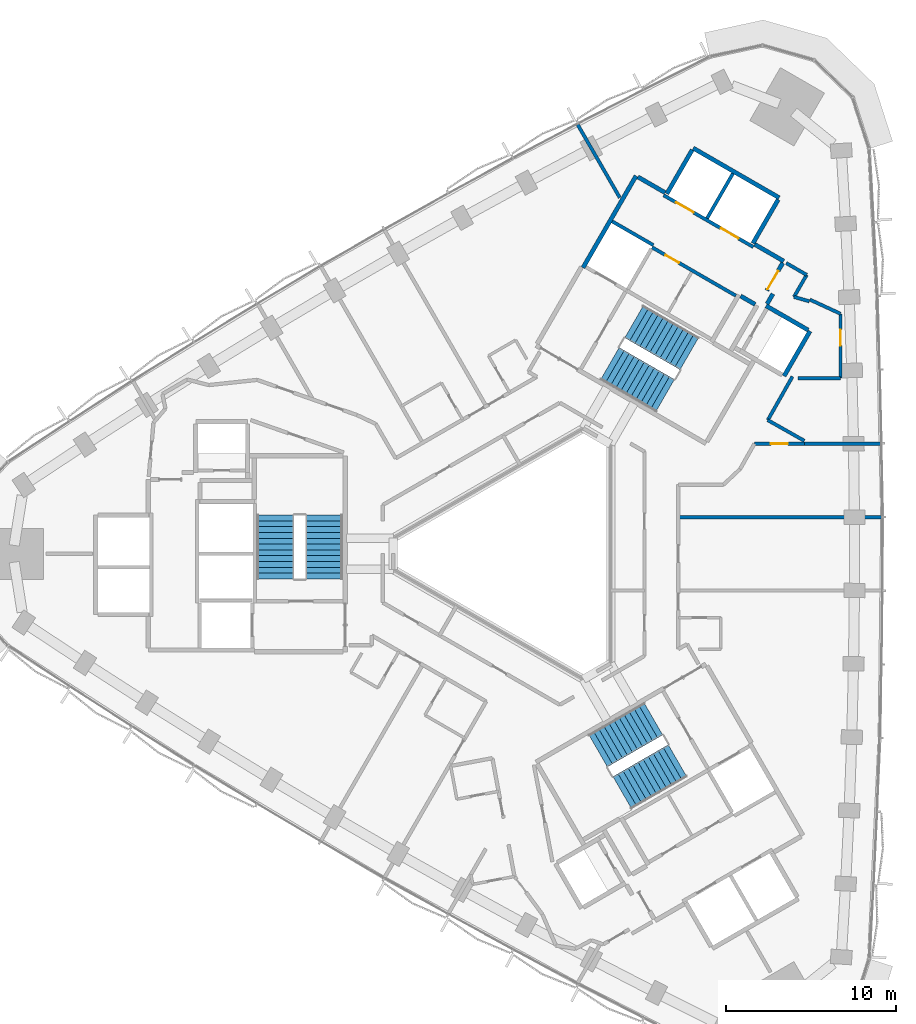
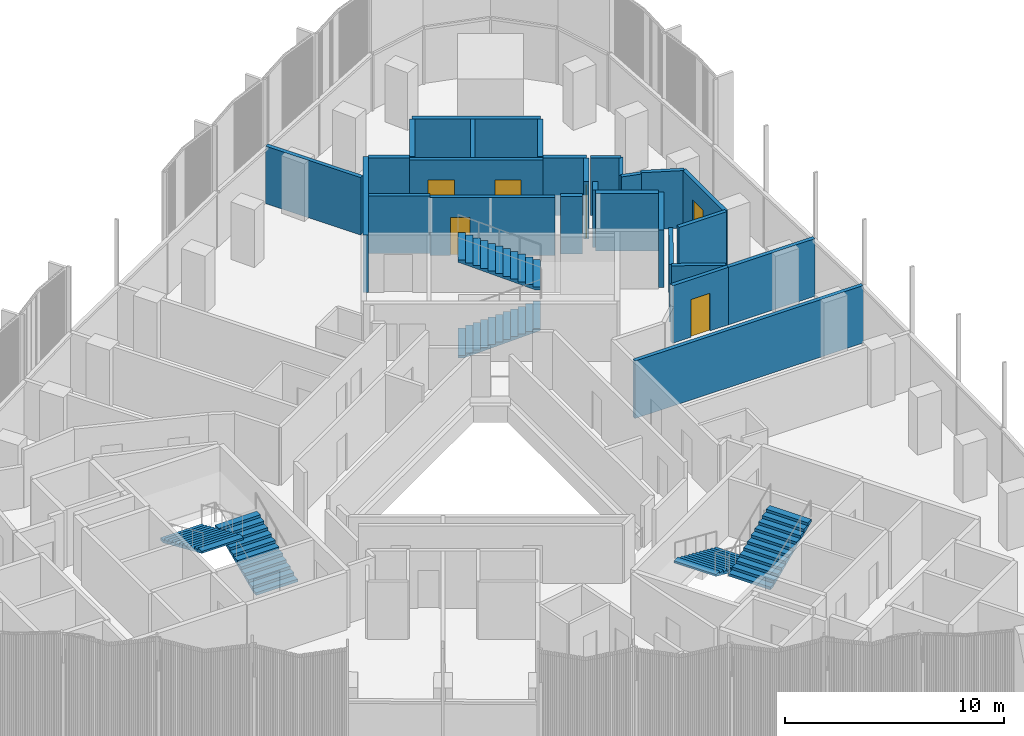
# One storey, part 12 of 15: 27 walls, 6 doors, 6 stair flights, 6 openings, 3 elements without a shape of their own.
"""IFC4 building model written with IfcOpenShell, lengths in metres."""

from ifc_helpers import new_model, si_unit, direction, frame, frame_2d, origin, place, context, subcontext, project, spatial, polyline, rectangle, outline, extrude, material, layer, layer_set, type_object, element, fill, aggregate, save


model = new_model("IFC4")

# Units and contexts
model_context = context("Model", 3, precision=1e-05, world=origin(), true_north=direction((0.0, 1.0)))
body_context = subcontext(model_context, "Body", "Model", "MODEL_VIEW")
ifc_project = project(units=[si_unit("LENGTHUNIT", "METRE"), si_unit("AREAUNIT", "SQUARE_METRE"), si_unit("VOLUMEUNIT", "CUBIC_METRE"), si_unit("PLANEANGLEUNIT", "RADIAN"), si_unit("MASSUNIT", "GRAM", prefix="KILO")], contexts=[model_context])

# Site, building, storey
site_placement = place(None, origin())
site = spatial("IfcSite", under=ifc_project, at=site_placement, CompositionType="ELEMENT")
building_placement = place(site_placement, origin())
building = spatial("IfcBuilding", under=site, at=building_placement, Name="Tamra Quay Hotel Tower", CompositionType="ELEMENT")
storey_placement = place(building_placement, frame((0.0, 0.0, 128.800048828125)))
storey = spatial("IfcBuildingStorey", under=building, at=storey_placement, Name="L31", CompositionType="ELEMENT", Elevation=128.800048828125)

# Wall, openings, doors
ifc_material_1 = material(Name="Concrete M70", Category="concrete")
ifc_layer_1 = layer(ifc_material_1, 0.199951171875)
ifc_layer_set_1 = layer_set([ifc_layer_1], Name="Concrete M70 core wall 200")
wall_type_1 = type_object("IfcWallType", Name="Concrete M70 core wall 200", PredefinedType="SHEAR", material=ifc_layer_set_1)
wall_1_placement = place(storey_placement, frame((13.209716796875, 18.07958984375, 0.0), z_axis=(0.0, 0.0, 1.0), x_axis=(-0.866030299012, 0.499991521122, 0.0)))
wall_1 = element("IfcWall", 1, at=wall_1_placement, inside=storey, type_object=wall_type_1, Name="CW2", PredefinedType="SHEAR", context=body_context, shape_type="SweptSolid", body=[
    extrude(rectangle(XDim=6.10009765625, YDim=0.199951171875, at=frame_2d((3.050048828125, 0.0))), origin(), (0.0, 0.0, 1.0), 3.199951171875),
])
opening_1_placement = place(wall_1_placement, frame((1.0, 0.0, 0.0)))
opening_1 = element("IfcOpeningElement", 2, at=opening_1_placement, cuts=wall_1, Name="Opening LD", PredefinedType="OPENING", context=body_context, shape_type="SweptSolid", body=[
    extrude(rectangle(XDim=1.199951171875, YDim=2.10009765625, at=frame_2d((0.60009765625, 1.050048828125))), frame((0.0, 0.10986328125, 0.0), z_axis=(0.0, -1.0, 0.0), x_axis=(1.0, 0.0, 0.0)), (0.0, 0.0, 1.0), 0.219970703125),
])
opening_2_placement = place(wall_1_placement, frame((4.05029296875, 0.0, 0.0)))
opening_2 = element("IfcOpeningElement", 3, at=opening_2_placement, cuts=wall_1, Name="Opening LD", PredefinedType="OPENING", context=body_context, shape_type="SweptSolid", body=[
    extrude(rectangle(XDim=1.199951171875, YDim=2.10009765625, at=frame_2d((0.60009765625, 1.050048828125))), frame((0.0, 0.10986328125, 0.0), z_axis=(0.0, -1.0, 0.0), x_axis=(1.0, 0.0, 0.0)), (0.0, 0.0, 1.0), 0.219970703125),
])
ifc_material_2 = material(Name="Landing door LD 1200 double door sliding")
door_type_1 = type_object("IfcDoorType", Name="Landing door LD 1200 double door sliding", OperationType="DOUBLE_DOOR_SLIDING", PredefinedType="DOOR", material=ifc_material_2)
door_1_placement = place(opening_1_placement, origin())
door_1 = element("IfcDoor", 4, at=door_1_placement, inside=storey, type_object=door_type_1, Name="LD", OperationType="DOUBLE_DOOR_SLIDING", OverallHeight=2.10009765625, OverallWidth=1.199951171875, PredefinedType="DOOR", context=body_context, shape_type="SweptSolid", body=[
    extrude(rectangle(XDim=1.199951171875, YDim=2.10009765625, at=frame_2d((0.60009765625, 1.050048828125))), frame((0.0, 0.02490234375, 0.0), z_axis=(0.0, -1.0, 0.0), x_axis=(1.0, 0.0, 0.0)), (0.0, 0.0, 1.0), 0.050048828125),
])
fill(opening_1, door_1)
door_2_placement = place(opening_2_placement, origin())
door_2 = element("IfcDoor", 5, at=door_2_placement, inside=storey, type_object=door_type_1, Name="LD", OperationType="DOUBLE_DOOR_SLIDING", OverallHeight=2.10009765625, OverallWidth=1.199951171875, PredefinedType="DOOR", context=body_context, shape_type="SweptSolid", body=[
    extrude(rectangle(XDim=1.199951171875, YDim=2.10009765625, at=frame_2d((0.60009765625, 1.050048828125))), frame((0.0, 0.02490234375, 0.0), z_axis=(0.0, -1.0, 0.0), x_axis=(1.0, 0.0, 0.0)), (0.0, 0.0, 1.0), 0.050048828125),
])
fill(opening_2, door_2)

# Wall, opening, door
wall_2_placement = place(storey_placement, frame((12.18505859375, 15.20703125, 0.0), z_axis=(0.0, 0.0, 1.0), x_axis=(-0.866020080793, 0.500009219579, 0.0)))
wall_2 = element("IfcWall", 6, at=wall_2_placement, inside=storey, type_object=wall_type_1, Name="CW2", PredefinedType="SHEAR", context=body_context, shape_type="SweptSolid", body=[
    extrude(rectangle(XDim=5.69921875, YDim=0.199951171875, at=frame_2d((2.849609375, 0.0))), origin(), (0.0, 0.0, 1.0), 3.199951171875),
])
opening_3_placement = place(wall_2_placement, frame((3.8740234375, 0.0, 0.0)))
opening_3 = element("IfcOpeningElement", 7, at=opening_3_placement, cuts=wall_2, Name="Opening D2", PredefinedType="OPENING", context=body_context, shape_type="SweptSolid", body=[
    extrude(rectangle(XDim=0.89990234375, YDim=2.10009765625, at=frame_2d((0.449951171875, 1.050048828125))), frame((0.0, 0.10986328125, 0.0), z_axis=(0.0, -1.0, 0.0), x_axis=(1.0, 0.0, 0.0)), (0.0, 0.0, 1.0), 0.219970703125),
])
ifc_material_3 = material(Name="Core door D2 900x2100 RH")
door_type_2 = type_object("IfcDoorType", Name="Core door D2 900x2100 RH", OperationType="NOTDEFINED", PredefinedType="DOOR", material=ifc_material_3)
door_3_placement = place(opening_3_placement, origin())
door_3 = element("IfcDoor", 8, at=door_3_placement, inside=storey, type_object=door_type_2, Name="D2", OperationType="SINGLE_SWING_RIGHT", OverallHeight=2.10009765625, OverallWidth=0.89990234375, PredefinedType="DOOR", context=body_context, shape_type="SweptSolid", body=[
    extrude(rectangle(XDim=0.89990234375, YDim=2.10009765625, at=frame_2d((0.449951171875, 1.050048828125))), frame((0.0, 0.02490234375, 0.0), z_axis=(0.0, -1.0, 0.0), x_axis=(1.0, 0.0, 0.0)), (0.0, 0.0, 1.0), 0.050048828125),
])
fill(opening_3, door_3)

# Walls
wall_3_placement = place(storey_placement, frame((10.48876953125, 19.76708984375, 0.0), z_axis=(0.0, 0.0, 1.0), x_axis=(0.499946628782, 0.866056215479, 0.0)))
element("IfcWall", 9, at=wall_3_placement, inside=storey, type_object=wall_type_1, Name="CW2", PredefinedType="SHEAR", context=body_context, shape_type="SweptSolid", body=[
    extrude(rectangle(XDim=3.048095703125, YDim=0.199951171875, at=frame_2d((1.52392578125, 0.0))), origin(), (0.0, 0.0, 1.0), 3.199951171875),
])
wall_4_placement = place(storey_placement, frame((4.900634765625, 19.5859375, 0.0), z_axis=(0.0, 0.0, 1.0), x_axis=(0.866022890907, -0.500004352405, 0.0)))
element("IfcWall", 10, at=wall_4_placement, inside=storey, type_object=wall_type_1, Name="CW2", PredefinedType="SHEAR", context=body_context, shape_type="SweptSolid", body=[
    extrude(rectangle(XDim=2.798828125, YDim=0.199951171875, at=frame_2d((1.3994140625, 0.0))), origin(), (0.0, 0.0, 1.0), 3.199951171875),
])
ifc_layer_2 = layer(ifc_material_1, 0.25)
ifc_layer_set_2 = layer_set([ifc_layer_2], Name="Concrete M70 core wall 250")
wall_type_2 = type_object("IfcWallType", Name="Concrete M70 core wall 250", PredefinedType="SHEAR", material=ifc_layer_set_2)
wall_5_placement = place(storey_placement, frame((3.178955078125, 16.856201171875, 0.0), z_axis=(0.0, 0.0, 1.0), x_axis=(0.500004234368, 0.866022959057, 0.0)))
element("IfcWall", 11, at=wall_5_placement, inside=storey, type_object=wall_type_2, Name="CW1", PredefinedType="SHEAR", context=body_context, shape_type="SweptSolid", body=[
    extrude(rectangle(XDim=6.25, YDim=0.25, at=frame_2d((3.125, 0.0))), origin(), (0.0, 0.0, 1.0), 3.199951171875),
])
wall_6_placement = place(storey_placement, frame((9.672607421875, 23.9033203125, 0.0), z_axis=(0.0, 0.0, 1.0), x_axis=(0.86603616409, -0.499981362141, 0.0)))
element("IfcWall", 12, at=wall_6_placement, inside=storey, type_object=wall_type_2, Name="CW1", PredefinedType="SHEAR", context=body_context, shape_type="SweptSolid", body=[
    extrude(rectangle(XDim=5.849853515625, YDim=0.25, at=frame_2d((2.9248046875, 0.0))), origin(), (0.0, 0.0, 1.0), 3.199951171875),
])
for number, where, z_axis, x_axis, name in (
    (13, (8.12255859375, 21.21875, 0.0), (0.0, 0.0, 1.0), (0.499987686533, 0.866032512851, 0.0), "CW1"),
    (14, (14.67626953125, 20.869873046875, 0.0), (0.0, 0.0, 1.0), (-0.499987686533, -0.866032512851, 0.0), "CW1"),
):
    element("IfcWall", number, at=place(storey_placement, frame(where, z_axis=z_axis, x_axis=x_axis)), inside=storey, type_object=wall_type_2, Name=name, PredefinedType="SHEAR", context=body_context, shape_type="SweptSolid", body=[
        extrude(rectangle(XDim=2.974609375, YDim=0.25, at=frame_2d((1.4873046875, 0.0))), origin(), (0.0, 0.0, 1.0), 3.199951171875),
    ])
wall_7_placement = place(storey_placement, frame((16.552001953125, 13.118896484375, 0.0), z_axis=(0.0, 0.0, 1.0), x_axis=(-0.499978833458, -0.866037623948, 0.0)))
element("IfcWall", 15, at=wall_7_placement, inside=storey, type_object=wall_type_2, Name="CW1", PredefinedType="SHEAR", context=body_context, shape_type="SweptSolid", body=[
    extrude(rectangle(XDim=3.050048828125, YDim=0.25, at=frame_2d((1.52490234375, 0.0))), origin(), (0.0, 0.0, 1.0), 3.199951171875),
])
wall_8_placement = place(storey_placement, frame((13.962646484375, 14.61376953125, 0.0), z_axis=(0.0, 0.0, 1.0), x_axis=(0.866042235819, -0.499970844928, 0.0)))
element("IfcWall", 16, at=wall_8_placement, inside=storey, type_object=wall_type_2, Name="CW1", PredefinedType="SHEAR", context=body_context, shape_type="SweptSolid", body=[
    extrude(rectangle(XDim=2.864501953125, YDim=0.25, at=frame_2d((1.43212890625, 0.0))), origin(), (0.0, 0.0, 1.0), 3.199951171875),
])
wall_9_placement = place(storey_placement, frame((13.29736328125, 18.23095703125, 0.0), z_axis=(0.0, 0.0, 1.0), x_axis=(0.866043531843, -0.499968599967, 0.0)))
element("IfcWall", 17, at=wall_9_placement, inside=storey, type_object=wall_type_2, Name="CW1", PredefinedType="SHEAR", context=body_context, shape_type="SweptSolid", body=[
    extrude(rectangle(XDim=1.974853515625, YDim=0.25, at=frame_2d((0.9873046875, 0.0))), origin(), (0.0, 0.0, 1.0), 3.199951171875),
])
wall_10_placement = place(storey_placement, frame((6.41259765625, 22.2060546875, 0.0), z_axis=(0.0, 0.0, 1.0), x_axis=(0.866016279763, -0.500015802937, 0.0)))
element("IfcWall", 18, at=wall_10_placement, inside=storey, type_object=wall_type_2, Name="CW1", PredefinedType="SHEAR", context=body_context, shape_type="SweptSolid", body=[
    extrude(rectangle(XDim=1.84912109375, YDim=0.25, at=frame_2d((0.924560546875, 0.0))), origin(), (0.0, 0.0, 1.0), 3.199951171875),
])

# Wall, opening, door
wall_11_placement = place(storey_placement, frame((14.94482421875, 17.13525390625, 0.0), z_axis=(0.0, 0.0, 1.0), x_axis=(-0.499983108224, -0.866035156036, 0.0)))
wall_11 = element("IfcWall", 19, at=wall_11_placement, inside=storey, type_object=wall_type_2, Name="CW1", PredefinedType="SHEAR", context=body_context, shape_type="SweptSolid", body=[
    extrude(rectangle(XDim=1.86474609375, YDim=0.25, at=frame_2d((0.932373046875, 0.0))), origin(), (0.0, 0.0, 1.0), 3.199951171875),
])
opening_4_placement = place(wall_11_placement, frame((0.53466796875, 0.0, 0.0)))
opening_4 = element("IfcOpeningElement", 20, at=opening_4_placement, cuts=wall_11, Name="Opening FD3", PredefinedType="OPENING", context=body_context, shape_type="SweptSolid", body=[
    extrude(rectangle(XDim=1.25, YDim=2.10009765625, at=frame_2d((0.625, 1.050048828125))), frame((0.0, 0.135009765625, 0.0), z_axis=(0.0, -1.0, 0.0), x_axis=(1.0, 0.0, 0.0)), (0.0, 0.0, 1.0), 0.27001953125),
])
ifc_material_4 = material(Name="Core door FD3 1250x2100 LH")
door_type_3 = type_object("IfcDoorType", Name="Core door FD3 1250x2100 LH", OperationType="NOTDEFINED", PredefinedType="DOOR", material=ifc_material_4)
door_4_placement = place(opening_4_placement, origin())
door_4 = element("IfcDoor", 21, at=door_4_placement, inside=storey, type_object=door_type_3, Name="FD3", OperationType="SINGLE_SWING_LEFT", OverallHeight=2.10009765625, OverallWidth=1.25, PredefinedType="DOOR", context=body_context, shape_type="SweptSolid", body=[
    extrude(rectangle(XDim=1.25, YDim=2.10009765625, at=frame_2d((0.625, 1.050048828125))), frame((0.0, 0.02490234375, 0.0), z_axis=(0.0, -1.0, 0.0), x_axis=(1.0, 0.0, 0.0)), (0.0, 0.0, 1.0), 0.050048828125),
])
fill(opening_4, door_4)

# Walls
wall_12_placement = place(storey_placement, frame((13.322021484375, 14.695068359375, 0.0), z_axis=(0.0, 0.0, 1.0), x_axis=(-0.866017078145, 0.500014420154, 0.0)))
element("IfcWall", 22, at=wall_12_placement, inside=storey, type_object=wall_type_2, Name="CW1", PredefinedType="SHEAR", context=body_context, shape_type="SweptSolid", body=[
    extrude(rectangle(XDim=0.9892578125, YDim=0.25, at=frame_2d((0.49462890625, 0.0))), origin(), (0.0, 0.0, 1.0), 3.199951171875),
])
wall_13_placement = place(storey_placement, frame((14.36767578125, 15.3154296875, 0.0), z_axis=(0.0, 0.0, 1.0), x_axis=(-0.499897359611, -0.866084655132, 0.0)))
element("IfcWall", 23, at=wall_13_placement, inside=storey, type_object=wall_type_2, Name="CW1", PredefinedType="SHEAR", context=body_context, shape_type="SweptSolid", body=[
    extrude(rectangle(XDim=0.684814453125, YDim=0.25, at=frame_2d((0.34228515625, 0.0))), origin(), (0.0, 0.0, 1.0), 3.199951171875),
])

# Wall, opening, door
ifc_material_5 = material(Name="Partition corridor wall")
ifc_layer_3 = layer(ifc_material_5, 0.199951171875)
ifc_layer_set_3 = layer_set([ifc_layer_3], Name="Partition corridor wall")
wall_type_3 = type_object("IfcWallType", Name="Partition corridor wall", PredefinedType="PARTITIONING", material=ifc_layer_set_3)
wall_14_placement = place(storey_placement, frame((13.279052734375, 6.48388671875, 0.0), z_axis=(0.0, 0.0, 1.0), x_axis=(1.0, 0.0, 0.0)))
wall_14 = element("IfcWall", 24, at=wall_14_placement, inside=storey, type_object=wall_type_3, Name="W-C", PredefinedType="PARTITIONING", context=body_context, shape_type="SweptSolid", body=[
    extrude(rectangle(XDim=2.94287109375, YDim=0.199951171875, at=frame_2d((1.471435546875, 0.0))), origin(), (0.0, 0.0, 1.0), 3.199951171875),
])
opening_5_placement = place(wall_14_placement, frame((0.971435546875, 0.0, 0.0)))
opening_5 = element("IfcOpeningElement", 25, at=opening_5_placement, cuts=wall_14, Name="Opening L31-D004", PredefinedType="OPENING", context=body_context, shape_type="SweptSolid", body=[
    extrude(rectangle(XDim=1.0, YDim=2.10009765625, at=frame_2d((0.5, 1.050048828125))), frame((0.0, 0.10986328125, 0.0), z_axis=(0.0, -1.0, 0.0), x_axis=(1.0, 0.0, 0.0)), (0.0, 0.0, 1.0), 0.219970703125),
])
ifc_material_6 = material(Name="Door guest room 1000x2100")
door_type_4 = type_object("IfcDoorType", Name="Door guest room 1000x2100", OperationType="NOTDEFINED", PredefinedType="DOOR", material=ifc_material_6)
door_5_placement = place(opening_5_placement, frame((1.0, 0.0, 0.0), z_axis=(0.0, 0.0, 1.0), x_axis=(-1.0, 0.0, 0.0)))
door_5 = element("IfcDoor", 26, at=door_5_placement, inside=storey, type_object=door_type_4, Name="L31-D004", OperationType="SINGLE_SWING_LEFT", OverallHeight=2.10009765625, OverallWidth=1.0, PredefinedType="DOOR", context=body_context, shape_type="SweptSolid", body=[
    extrude(rectangle(XDim=1.0, YDim=2.10009765625, at=frame_2d((0.5, 1.050048828125))), frame((0.0, 0.02490234375, 0.0), z_axis=(0.0, -1.0, 0.0), x_axis=(1.0, 0.0, 0.0)), (0.0, 0.0, 1.0), 0.050048828125),
])
fill(opening_5, door_5)

# Walls
wall_15_placement = place(storey_placement, frame((14.06591796875, 7.8759765625, 0.0), z_axis=(0.0, 0.0, 1.0), x_axis=(0.870423351516, -0.492303960105, 0.0)))
element("IfcWall", 27, at=wall_15_placement, inside=storey, type_object=wall_type_3, Name="W-C", PredefinedType="PARTITIONING", context=body_context, shape_type="SweptSolid", body=[
    extrude(rectangle(XDim=2.47802734375, YDim=0.199951171875, at=frame_2d((1.239013671875, 0.0))), origin(), (0.0, 0.0, 1.0), 3.199951171875),
])
wall_16_placement = place(storey_placement, frame((14.066162109375, 7.875732421875, 0.0), z_axis=(0.0, 0.0, 1.0), x_axis=(0.492812174249, 0.870135714077, 0.0)))
element("IfcWall", 28, at=wall_16_placement, inside=storey, type_object=wall_type_3, Name="W-C", PredefinedType="PARTITIONING", context=body_context, shape_type="SweptSolid", body=[
    extrude(rectangle(XDim=2.951171875, YDim=0.199951171875, at=frame_2d((1.4755859375, 0.0))), origin(), (0.0, 0.0, 1.0), 3.199951171875),
])
wall_17_placement = place(storey_placement, frame((15.155517578125, 17.130126953125, 0.0), z_axis=(0.0, 0.0, 1.0), x_axis=(0.865755062894, -0.500467952093, 0.0)))
element("IfcWall", 29, at=wall_17_placement, inside=storey, type_object=wall_type_3, Name="W-C", PredefinedType="PARTITIONING", context=body_context, shape_type="SweptSolid", body=[
    extrude(rectangle(XDim=1.388916015625, YDim=0.199951171875, at=frame_2d((0.6943359375, 0.0))), origin(), (0.0, 0.0, 1.0), 3.199951171875),
])
wall_18_placement = place(storey_placement, frame((15.60888671875, 15.135986328125, 0.0), z_axis=(0.0, 0.0, 1.0), x_axis=(0.499501622561, 0.866312950993, 0.0)))
element("IfcWall", 30, at=wall_18_placement, inside=storey, type_object=wall_type_3, Name="W-C", PredefinedType="PARTITIONING", context=body_context, shape_type="SweptSolid", body=[
    extrude(rectangle(XDim=1.49951171875, YDim=0.199951171875, at=frame_2d((0.749755859375, 0.0))), origin(), (0.0, 0.0, 1.0), 3.199951171875),
])
wall_19_placement = place(storey_placement, frame((15.60888671875, 15.135986328125, 0.0), z_axis=(0.0, 0.0, 1.0), x_axis=(0.961592512205, -0.274481038455, 0.0)))
element("IfcWall", 31, at=wall_19_placement, inside=storey, type_object=wall_type_3, Name="W-C", PredefinedType="PARTITIONING", context=body_context, shape_type="SweptSolid", body=[
    extrude(rectangle(XDim=0.940185546875, YDim=0.199951171875, at=frame_2d((0.47021484375, 0.0))), origin(), (0.0, 0.0, 1.0), 3.199951171875),
])
wall_20_placement = place(storey_placement, frame((15.85009765625, 10.35009765625, 0.0), z_axis=(0.0, 0.0, 1.0), x_axis=(1.0, 0.0, 0.0)))
element("IfcWall", 32, at=wall_20_placement, inside=storey, type_object=wall_type_3, Name="W-C", PredefinedType="PARTITIONING", context=body_context, shape_type="SweptSolid", body=[
    extrude(rectangle(XDim=2.5, YDim=0.199951171875, at=frame_2d((1.25, 0.0))), origin(), (0.0, 0.0, 1.0), 3.199951171875),
])
wall_21_placement = place(storey_placement, frame((16.555908203125, 14.971923828125, 0.0), z_axis=(0.0, 0.0, 1.0), x_axis=(0.907999158806, -0.418971989048, 0.0)))
element("IfcWall", 33, at=wall_21_placement, inside=storey, type_object=wall_type_3, Name="W-C", PredefinedType="PARTITIONING", context=body_context, shape_type="SweptSolid", body=[
    extrude(rectangle(XDim=1.97607421875, YDim=0.199951171875, at=frame_2d((0.988037109375, 0.0))), origin(), (0.0, 0.0, 1.0), 3.199951171875),
])

# Wall, opening, door
wall_22_placement = place(storey_placement, frame((18.35009765625, 10.35009765625, 0.0), z_axis=(0.0, 0.0, 1.0), x_axis=(0.0, 1.0, 0.0)))
wall_22 = element("IfcWall", 34, at=wall_22_placement, inside=storey, type_object=wall_type_3, Name="W-C", PredefinedType="PARTITIONING", context=body_context, shape_type="SweptSolid", body=[
    extrude(rectangle(XDim=3.7939453125, YDim=0.199951171875, at=frame_2d((1.89697265625, 0.0))), origin(), (0.0, 0.0, 1.0), 3.199951171875),
])
opening_6_placement = place(wall_22_placement, frame((1.910888671875, 0.0, 0.0)))
opening_6 = element("IfcOpeningElement", 35, at=opening_6_placement, cuts=wall_22, Name="Opening L31-D005", PredefinedType="OPENING", context=body_context, shape_type="SweptSolid", body=[
    extrude(rectangle(XDim=0.949951171875, YDim=2.10009765625, at=frame_2d((0.47509765625, 1.050048828125))), frame((0.0, 0.10986328125, 0.0), z_axis=(0.0, -1.0, 0.0), x_axis=(1.0, 0.0, 0.0)), (0.0, 0.0, 1.0), 0.219970703125),
])
ifc_material_7 = material(Name="Door guest room 950x2100")
door_type_5 = type_object("IfcDoorType", Name="Door guest room 950x2100", OperationType="NOTDEFINED", PredefinedType="DOOR", material=ifc_material_7)
door_6_placement = place(opening_6_placement, origin())
door_6 = element("IfcDoor", 36, at=door_6_placement, inside=storey, type_object=door_type_5, Name="L31-D005", OperationType="SINGLE_SWING_LEFT", OverallHeight=2.10009765625, OverallWidth=0.949951171875, PredefinedType="DOOR", context=body_context, shape_type="SweptSolid", body=[
    extrude(rectangle(XDim=0.949951171875, YDim=2.10009765625, at=frame_2d((0.47509765625, 1.050048828125))), frame((0.0, 0.02490234375, 0.0), z_axis=(0.0, -1.0, 0.0), x_axis=(1.0, 0.0, 0.0)), (0.0, 0.0, 1.0), 0.050048828125),
])
fill(opening_6, door_6)

# Walls
ifc_material_8 = material(Name="Partition party wall")
ifc_layer_4 = layer(ifc_material_8, 0.199951171875)
ifc_layer_set_4 = layer_set([ifc_layer_4], Name="Partition party wall")
wall_type_4 = type_object("IfcWallType", Name="Partition party wall", PredefinedType="PARTITIONING", material=ifc_layer_set_4)
wall_23_placement = place(storey_placement, frame((2.845458984375, 25.321044921875, 0.0), z_axis=(0.0, 0.0, 1.0), x_axis=(0.499730893997, -0.86618071647, 0.0)))
element("IfcWall", 37, at=wall_23_placement, inside=storey, type_object=wall_type_4, Name="W-P", PredefinedType="PARTITIONING", context=body_context, shape_type="SweptSolid", body=[
    extrude(rectangle(XDim=5.008056640625, YDim=0.199951171875, at=frame_2d((2.50390625, 0.0))), origin(), (0.0, 0.0, 1.0), 3.199951171875),
])
wall_24_placement = place(storey_placement, frame((8.800048828125, 2.160888671875, 0.0), z_axis=(0.0, 0.0, 1.0), x_axis=(1.0, 0.0, 0.0)))
element("IfcWall", 38, at=wall_24_placement, inside=storey, type_object=wall_type_4, Name="W-P", PredefinedType="PARTITIONING", context=body_context, shape_type="SweptSolid", body=[
    extrude(rectangle(XDim=12.0146484375, YDim=0.199951171875, at=frame_2d((6.00732421875, 0.0))), origin(), (0.0, 0.0, 1.0), 3.199951171875),
])
wall_25_placement = place(storey_placement, frame((16.2099609375, 6.48388671875, 0.0), z_axis=(0.0, 0.0, 1.0), x_axis=(1.0, 0.0, 0.0)))
element("IfcWall", 39, at=wall_25_placement, inside=storey, type_object=wall_type_4, Name="W-P", PredefinedType="PARTITIONING", context=body_context, shape_type="SweptSolid", body=[
    extrude(rectangle(XDim=4.55322265625, YDim=0.199951171875, at=frame_2d((2.276611328125, 0.0))), origin(), (0.0, 0.0, 1.0), 3.199951171875),
])

# Stair, stair flights
ifc_material_9 = material(Name="Exit stair 2200 24 risers 150.0 going 342")
stair_type = type_object("IfcStairType", Name="Exit stair 2200 24 risers 150.0 going 342", PredefinedType="HALF_TURN_STAIR", material=ifc_material_9)
stair_1_placement = place(storey_placement, origin())
stair_1 = element("IfcStair", 40, at=stair_1_placement, inside=storey, type_object=stair_type, Name="L31 Exit stair ST3", PredefinedType="HALF_TURN_STAIR")
ifc_material_10 = material(Name="Exit stair flight 2200 12 risers 150.0")
stair_flight_type = type_object("IfcStairFlightType", Name="Exit stair flight 2200 12 risers 150.0", PredefinedType="STRAIGHT", material=ifc_material_10)
stair_flight_1_placement = place(storey_placement, frame((-12.082275390625, -1.47998046875, 0.0), z_axis=(0.0, 0.0, 1.0), x_axis=(0.0, 1.0, 0.0)))
stair_flight_1 = element("IfcStairFlight", 41, at=stair_flight_1_placement, type_object=stair_flight_type, Name="ST3 flight 1", NumberOfRisers=12, NumberOfTreads=11, PredefinedType="STRAIGHT", RiserHeight=0.15, TreadLength=0.342, context=body_context, shape_type="SweptSolid", body=[
    extrude(outline(polyline([(0.0, 0.0), (0.0, 0.14990234375), (0.342041015625, 0.14990234375), (0.342041015625, 0.300048828125), (0.68408203125, 0.300048828125), (0.68408203125, 0.449951171875), (1.02587890625, 0.449951171875), (1.02587890625, 0.60009765625), (1.367919921875, 0.60009765625), (1.367919921875, 0.75), (1.7099609375, 0.75), (1.7099609375, 0.89990234375), (2.052001953125, 0.89990234375), (2.052001953125, 1.050048828125), (2.39404296875, 1.050048828125), (2.39404296875, 1.199951171875), (2.736083984375, 1.199951171875), (2.736083984375, 1.35009765625), (3.077880859375, 1.35009765625), (3.077880859375, 1.5), (3.419921875, 1.5), (3.419921875, 1.64990234375), (3.761962890625, 1.64990234375), (3.761962890625, 1.800048828125), (3.761962890625, 1.540771484375), (0.249267578125, 0.0), (0.0, 0.0)])), frame((0.0, 1.10009765625, 0.0), z_axis=(0.0, -1.0, 0.0), x_axis=(1.0, 0.0, 0.0)), (0.0, 0.0, 1.0), 2.199951171875),
])
stair_flight_2_placement = place(storey_placement, frame((-14.94140625, 2.281982421875, 1.800048828125), z_axis=(0.0, 0.0, 1.0), x_axis=(0.0, -1.0, 0.0)))
stair_flight_2 = element("IfcStairFlight", 42, at=stair_flight_2_placement, type_object=stair_flight_type, Name="ST3 flight 2", NumberOfRisers=12, NumberOfTreads=11, PredefinedType="STRAIGHT", RiserHeight=0.15, TreadLength=0.342, context=body_context, shape_type="SweptSolid", body=[
    extrude(outline(polyline([(0.0, 0.0), (0.0, 0.14990234375), (0.342041015625, 0.14990234375), (0.342041015625, 0.300048828125), (0.68408203125, 0.300048828125), (0.68408203125, 0.449951171875), (1.02587890625, 0.449951171875), (1.02587890625, 0.60009765625), (1.367919921875, 0.60009765625), (1.367919921875, 0.75), (1.7099609375, 0.75), (1.7099609375, 0.89990234375), (2.052001953125, 0.89990234375), (2.052001953125, 1.050048828125), (2.39404296875, 1.050048828125), (2.39404296875, 1.199951171875), (2.736083984375, 1.199951171875), (2.736083984375, 1.35009765625), (3.077880859375, 1.35009765625), (3.077880859375, 1.5), (3.419921875, 1.5), (3.419921875, 1.64990234375), (3.761962890625, 1.64990234375), (3.761962890625, 1.800048828125), (3.761962890625, 1.540771484375), (0.249267578125, 0.0), (0.0, 0.0)])), frame((0.0, 1.10009765625, 0.0), z_axis=(0.0, -1.0, 0.0), x_axis=(1.0, 0.0, 0.0)), (0.0, 0.0, 1.0), 2.199951171875),
])
aggregate(stair_1, [stair_flight_1, stair_flight_2])

stair_2_placement = place(storey_placement, origin())
stair_2 = element("IfcStair", 43, at=stair_2_placement, inside=storey, type_object=stair_type, Name="L31 Exit stair ST1", PredefinedType="HALF_TURN_STAIR")
stair_flight_3_placement = place(storey_placement, frame((4.75927734375, 11.20361328125, 0.0), z_axis=(0.0, 0.0, 1.0), x_axis=(0.866025403784, -0.5, 0.0)))
stair_flight_3 = element("IfcStairFlight", 44, at=stair_flight_3_placement, type_object=stair_flight_type, Name="ST1 flight 1", NumberOfRisers=12, NumberOfTreads=11, PredefinedType="STRAIGHT", RiserHeight=0.15, TreadLength=0.342, context=body_context, shape_type="SweptSolid", body=[
    extrude(outline(polyline([(0.0, 0.0), (0.0, 0.14990234375), (0.342041015625, 0.14990234375), (0.342041015625, 0.300048828125), (0.68408203125, 0.300048828125), (0.68408203125, 0.449951171875), (1.02587890625, 0.449951171875), (1.02587890625, 0.60009765625), (1.367919921875, 0.60009765625), (1.367919921875, 0.75), (1.7099609375, 0.75), (1.7099609375, 0.89990234375), (2.052001953125, 0.89990234375), (2.052001953125, 1.050048828125), (2.39404296875, 1.050048828125), (2.39404296875, 1.199951171875), (2.736083984375, 1.199951171875), (2.736083984375, 1.35009765625), (3.077880859375, 1.35009765625), (3.077880859375, 1.5), (3.419921875, 1.5), (3.419921875, 1.64990234375), (3.761962890625, 1.64990234375), (3.761962890625, 1.800048828125), (3.761962890625, 1.540771484375), (0.249267578125, 0.0), (0.0, 0.0)])), frame((0.0, 1.10009765625, 0.0), z_axis=(0.0, -1.0, 0.0), x_axis=(1.0, 0.0, 0.0)), (0.0, 0.0, 1.0), 2.199951171875),
])
stair_flight_4_placement = place(storey_placement, frame((9.44677734375, 11.798583984375, 1.800048828125), z_axis=(0.0, 0.0, 1.0), x_axis=(-0.866025403784, 0.5, 0.0)))
stair_flight_4 = element("IfcStairFlight", 45, at=stair_flight_4_placement, type_object=stair_flight_type, Name="ST1 flight 2", NumberOfRisers=12, NumberOfTreads=11, PredefinedType="STRAIGHT", RiserHeight=0.15, TreadLength=0.342, context=body_context, shape_type="SweptSolid", body=[
    extrude(outline(polyline([(0.0, 0.0), (0.0, 0.14990234375), (0.342041015625, 0.14990234375), (0.342041015625, 0.300048828125), (0.68408203125, 0.300048828125), (0.68408203125, 0.449951171875), (1.02587890625, 0.449951171875), (1.02587890625, 0.60009765625), (1.367919921875, 0.60009765625), (1.367919921875, 0.75), (1.7099609375, 0.75), (1.7099609375, 0.89990234375), (2.052001953125, 0.89990234375), (2.052001953125, 1.050048828125), (2.39404296875, 1.050048828125), (2.39404296875, 1.199951171875), (2.736083984375, 1.199951171875), (2.736083984375, 1.35009765625), (3.077880859375, 1.35009765625), (3.077880859375, 1.5), (3.419921875, 1.5), (3.419921875, 1.64990234375), (3.761962890625, 1.64990234375), (3.761962890625, 1.800048828125), (3.761962890625, 1.540771484375), (0.249267578125, 0.0), (0.0, 0.0)])), frame((0.0, 1.10009765625, 0.0), z_axis=(0.0, -1.0, 0.0), x_axis=(1.0, 0.0, 0.0)), (0.0, 0.0, 1.0), 2.199951171875),
])
aggregate(stair_2, [stair_flight_3, stair_flight_4])

stair_3_placement = place(storey_placement, origin())
stair_3 = element("IfcStair", 46, at=stair_3_placement, inside=storey, type_object=stair_type, Name="L31 Exit stair ST2", PredefinedType="HALF_TURN_STAIR")
stair_flight_5_placement = place(storey_placement, frame((7.322998046875, -9.7236328125, 0.0), z_axis=(0.0, 0.0, 1.0), x_axis=(-0.866025403784, -0.5, 0.0)))
stair_flight_5 = element("IfcStairFlight", 47, at=stair_flight_5_placement, type_object=stair_flight_type, Name="ST2 flight 1", NumberOfRisers=12, NumberOfTreads=11, PredefinedType="STRAIGHT", RiserHeight=0.15, TreadLength=0.342, context=body_context, shape_type="SweptSolid", body=[
    extrude(outline(polyline([(0.0, 0.0), (0.0, 0.14990234375), (0.342041015625, 0.14990234375), (0.342041015625, 0.300048828125), (0.68408203125, 0.300048828125), (0.68408203125, 0.449951171875), (1.02587890625, 0.449951171875), (1.02587890625, 0.60009765625), (1.367919921875, 0.60009765625), (1.367919921875, 0.75), (1.7099609375, 0.75), (1.7099609375, 0.89990234375), (2.052001953125, 0.89990234375), (2.052001953125, 1.050048828125), (2.39404296875, 1.050048828125), (2.39404296875, 1.199951171875), (2.736083984375, 1.199951171875), (2.736083984375, 1.35009765625), (3.077880859375, 1.35009765625), (3.077880859375, 1.5), (3.419921875, 1.5), (3.419921875, 1.64990234375), (3.761962890625, 1.64990234375), (3.761962890625, 1.800048828125), (3.761962890625, 1.540771484375), (0.249267578125, 0.0), (0.0, 0.0)])), frame((0.0, 1.10009765625, 0.0), z_axis=(0.0, -1.0, 0.0), x_axis=(1.0, 0.0, 0.0)), (0.0, 0.0, 1.0), 2.199951171875),
])
stair_flight_6_placement = place(storey_placement, frame((5.494384765625, -14.08056640625, 1.800048828125), z_axis=(0.0, 0.0, 1.0), x_axis=(0.866025403784, 0.5, 0.0)))
stair_flight_6 = element("IfcStairFlight", 48, at=stair_flight_6_placement, type_object=stair_flight_type, Name="ST2 flight 2", NumberOfRisers=12, NumberOfTreads=11, PredefinedType="STRAIGHT", RiserHeight=0.15, TreadLength=0.342, context=body_context, shape_type="SweptSolid", body=[
    extrude(outline(polyline([(0.0, 0.0), (0.0, 0.14990234375), (0.342041015625, 0.14990234375), (0.342041015625, 0.300048828125), (0.68408203125, 0.300048828125), (0.68408203125, 0.449951171875), (1.02587890625, 0.449951171875), (1.02587890625, 0.60009765625), (1.367919921875, 0.60009765625), (1.367919921875, 0.75), (1.7099609375, 0.75), (1.7099609375, 0.89990234375), (2.052001953125, 0.89990234375), (2.052001953125, 1.050048828125), (2.39404296875, 1.050048828125), (2.39404296875, 1.199951171875), (2.736083984375, 1.199951171875), (2.736083984375, 1.35009765625), (3.077880859375, 1.35009765625), (3.077880859375, 1.5), (3.419921875, 1.5), (3.419921875, 1.64990234375), (3.761962890625, 1.64990234375), (3.761962890625, 1.800048828125), (3.761962890625, 1.540771484375), (0.249267578125, 0.0), (0.0, 0.0)])), frame((0.0, 1.10009765625, 0.0), z_axis=(0.0, -1.0, 0.0), x_axis=(1.0, 0.0, 0.0)), (0.0, 0.0, 1.0), 2.199951171875),
])
aggregate(stair_3, [stair_flight_5, stair_flight_6])

save(model, "model.ifc")
